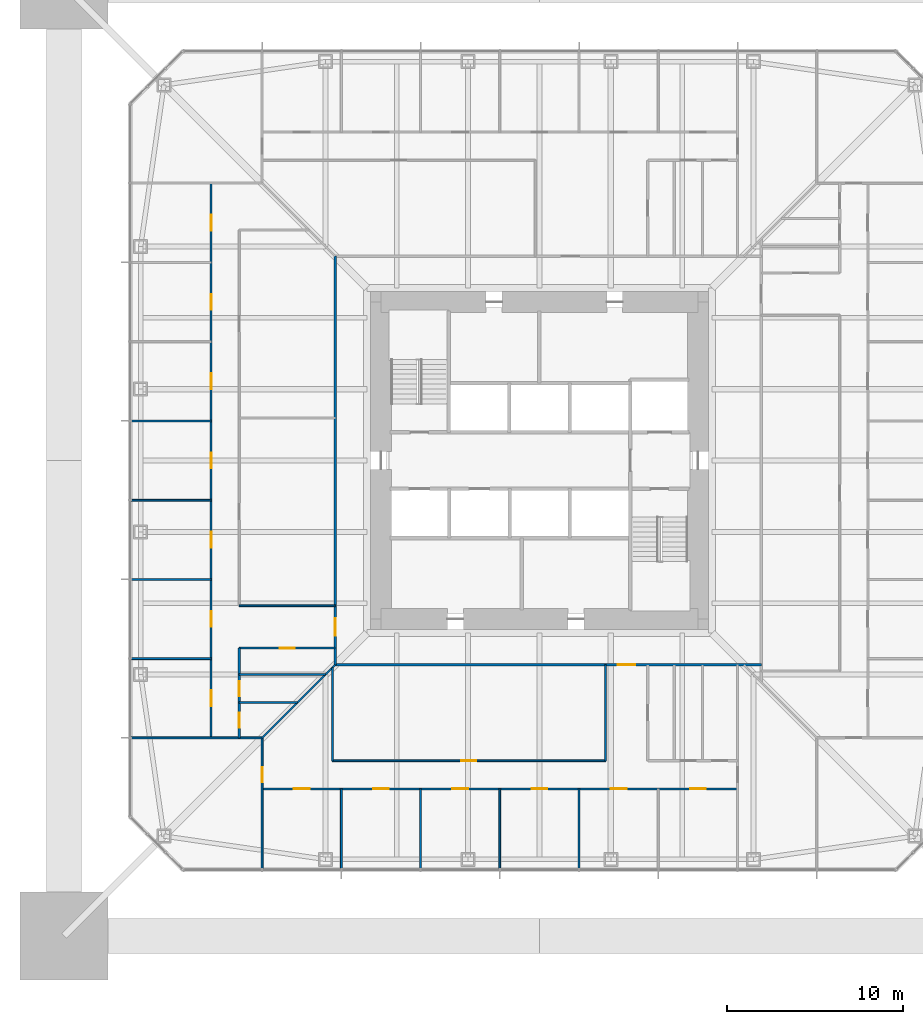
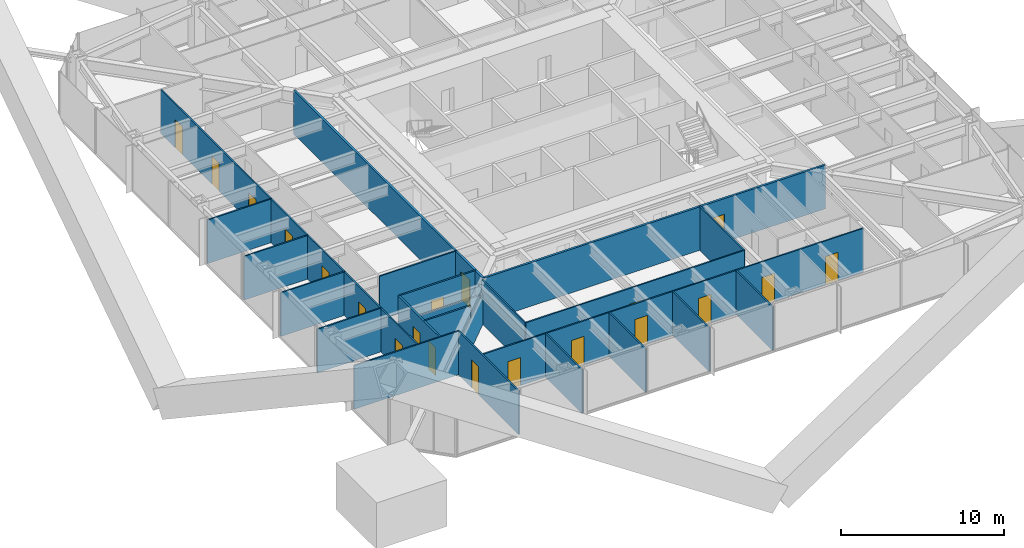
# One storey, part 15 of 27: 23 walls, 20 doors, 20 openings.
"""IFC4 building model written with IfcOpenShell, lengths in metres."""

from ifc_helpers import new_model, si_unit, direction, frame, frame_2d, origin, place, context, subcontext, project, spatial, rectangle, extrude, material, layer, layer_set, type_object, element, fill, save


model = new_model("IFC4")

# Units and contexts
model_context = context("Model", 3, precision=1e-05, world=origin(), true_north=direction((0.0, 1.0)))
body_context = subcontext(model_context, "Body", "Model", "MODEL_VIEW")
ifc_project = project(units=[si_unit("LENGTHUNIT", "METRE"), si_unit("AREAUNIT", "SQUARE_METRE"), si_unit("VOLUMEUNIT", "CUBIC_METRE"), si_unit("PLANEANGLEUNIT", "RADIAN"), si_unit("MASSUNIT", "GRAM", prefix="KILO")], contexts=[model_context])

# Site, building, storey
site_placement = place(None, origin())
site = spatial("IfcSite", under=ifc_project, at=site_placement, CompositionType="ELEMENT")
building_placement = place(site_placement, origin())
building = spatial("IfcBuilding", under=site, at=building_placement, Name="Iwan Alto Co-Living Towers", CompositionType="ELEMENT")
storey_placement = place(building_placement, frame((0.0, 0.0, 25.5)))
storey = spatial("IfcBuildingStorey", under=building, at=storey_placement, Name="L06", CompositionType="ELEMENT", Elevation=25.5)

# Wall, opening, door
ifc_material_1 = material(Name="Gypsum board")
ifc_layer_1 = layer(ifc_material_1, 0.02490234375, Name="Board", Category="Finish")
ifc_material_2 = material(Name="Steel ASTM A1003 ST33H cold-formed studs", Category="steel")
ifc_layer_2 = layer(ifc_material_2, 0.10009765625, Name="Studs", Category="Framing")
ifc_layer_3 = layer(ifc_material_1, 0.02490234375, Name="Board", Category="Finish")
ifc_layer_set_1 = layer_set([ifc_layer_1, ifc_layer_2, ifc_layer_3], Name="CORRIDOR WALL 150")
wall_type_1 = type_object("IfcWallType", Name="CORRIDOR WALL 150", PredefinedType="PARTITIONING", material=ifc_layer_set_1)
wall_1_placement = place(storey_placement, frame((-11.60009765625, -11.60009765625, 0.0), z_axis=(0.0, 0.0, 1.0), x_axis=(1.0, 0.0, 0.0)))
wall_1 = element("IfcWall", 1, at=wall_1_placement, inside=storey, type_object=wall_type_1, Name="Partition L06", PredefinedType="PARTITIONING", context=body_context, shape_type="SweptSolid", body=[
    extrude(rectangle(XDim=24.2001953125, YDim=0.14990234375, at=frame_2d((12.10009765625, 0.0))), origin(), (0.0, 0.0, 1.0), 3.27001953125),
])
opening_1_placement = place(wall_1_placement, frame((16.050048828125, 0.0, 0.0)))
opening_1 = element("IfcOpeningElement", 2, at=opening_1_placement, cuts=wall_1, Name="Opening D3", PredefinedType="OPENING", context=body_context, shape_type="SweptSolid", body=[
    extrude(rectangle(XDim=1.0, YDim=2.10009765625, at=frame_2d((0.5, 1.050048828125))), frame((0.0, 0.0849609375, 0.0), z_axis=(0.0, -1.0, 0.0), x_axis=(1.0, 0.0, 0.0)), (0.0, 0.0, 1.0), 0.169921875),
])
ifc_material_3 = material(Name="Steel frame with timber leaf", Category="steel")
door_type_1 = type_object("IfcDoorType", Name="FLAT ENTRANCE DOOR FD30S 1000X2100", OperationType="SINGLE_SWING_LEFT", PredefinedType="DOOR", material=ifc_material_3)
door_1_placement = place(opening_1_placement, frame((1.0, 0.0, 0.0), z_axis=(0.0, 0.0, 1.0), x_axis=(-1.0, 0.0, 0.0)))
door_1 = element("IfcDoor", 3, at=door_1_placement, inside=storey, type_object=door_type_1, Name="Cluster lounge door L06", OperationType="SINGLE_SWING_RIGHT", OverallHeight=2.10009765625, OverallWidth=1.0, PredefinedType="DOOR", context=body_context, shape_type="SweptSolid", body=[
    extrude(rectangle(XDim=1.0, YDim=2.10009765625, at=frame_2d((0.5, 1.050048828125))), frame((0.0, 0.02490234375, 0.0), z_axis=(0.0, -1.0, 0.0), x_axis=(1.0, 0.0, 0.0)), (0.0, 0.0, 1.0), 0.050048828125),
])
fill(opening_1, door_1)

wall_2_placement = place(storey_placement, frame((-11.60009765625, -11.60009765625, 0.0), z_axis=(0.0, 0.0, 1.0), x_axis=(0.0, 1.0, 0.0)))
wall_2 = element("IfcWall", 4, at=wall_2_placement, inside=storey, type_object=wall_type_1, Name="Partition L06", PredefinedType="PARTITIONING", context=body_context, shape_type="SweptSolid", body=[
    extrude(rectangle(XDim=23.2001953125, YDim=0.14990234375, at=frame_2d((11.60009765625, 0.0))), origin(), (0.0, 0.0, 1.0), 3.27001953125),
])
opening_2_placement = place(wall_2_placement, frame((1.64990234375, 0.0, 0.0)))
opening_2 = element("IfcOpeningElement", 5, at=opening_2_placement, cuts=wall_2, Name="Opening D3", PredefinedType="OPENING", context=body_context, shape_type="SweptSolid", body=[
    extrude(rectangle(XDim=1.0, YDim=2.10009765625, at=frame_2d((0.5, 1.050048828125))), frame((0.0, 0.0849609375, 0.0), z_axis=(0.0, -1.0, 0.0), x_axis=(1.0, 0.0, 0.0)), (0.0, 0.0, 1.0), 0.169921875),
])
door_2_placement = place(opening_2_placement, origin())
door_2 = element("IfcDoor", 6, at=door_2_placement, inside=storey, type_object=door_type_1, Name="Cluster lounge and shared kitchen door L06", OperationType="SINGLE_SWING_LEFT", OverallHeight=2.10009765625, OverallWidth=1.0, PredefinedType="DOOR", context=body_context, shape_type="SweptSolid", body=[
    extrude(rectangle(XDim=1.0, YDim=2.10009765625, at=frame_2d((0.5, 1.050048828125))), frame((0.0, 0.02490234375, 0.0), z_axis=(0.0, -1.0, 0.0), x_axis=(1.0, 0.0, 0.0)), (0.0, 0.0, 1.0), 0.050048828125),
])
fill(opening_2, door_2)

# Wall, openings, doors
ifc_layer_4 = layer(ifc_material_1, 0.012451171875, Name="Board", Category="Finish")
ifc_layer_5 = layer(ifc_material_2, 0.074951171875, Name="Studs", Category="Framing")
ifc_layer_6 = layer(ifc_material_1, 0.012451171875, Name="Board", Category="Finish")
ifc_layer_set_2 = layer_set([ifc_layer_4, ifc_layer_5, ifc_layer_6], Name="PARTITION 100")
wall_type_2 = type_object("IfcWallType", Name="PARTITION 100", PredefinedType="PARTITIONING", material=ifc_layer_set_2)
wall_3_placement = place(storey_placement, frame((-15.75, -18.64990234375, 0.0), z_axis=(0.0, 0.0, 1.0), x_axis=(1.0, 0.0, 0.0)))
wall_3 = element("IfcWall", 7, at=wall_3_placement, inside=storey, type_object=wall_type_2, Name="Partition L06", PredefinedType="PARTITIONING", context=body_context, shape_type="SweptSolid", body=[
    extrude(rectangle(XDim=27.0, YDim=0.10009765625, at=frame_2d((13.5, 0.0))), origin(), (0.0, 0.0, 1.0), 3.27001953125),
])
opening_3_placement = place(wall_3_placement, frame((1.800048828125, 0.0, 0.0)))
opening_3 = element("IfcOpeningElement", 8, at=opening_3_placement, cuts=wall_3, Name="Opening D1", PredefinedType="OPENING", context=body_context, shape_type="SweptSolid", body=[
    extrude(rectangle(XDim=0.89990234375, YDim=2.10009765625, at=frame_2d((0.449951171875, 1.050048828125))), frame((0.0, 0.06005859375, 0.0), z_axis=(0.0, -1.0, 0.0), x_axis=(1.0, 0.0, 0.0)), (0.0, 0.0, 1.0), 0.1201171875),
])
opening_4_placement = place(wall_3_placement, frame((6.300048828125, 0.0, 0.0)))
opening_4 = element("IfcOpeningElement", 9, at=opening_4_placement, cuts=wall_3, Name="Opening D1", PredefinedType="OPENING", context=body_context, shape_type="SweptSolid", body=[
    extrude(rectangle(XDim=0.89990234375, YDim=2.10009765625, at=frame_2d((0.449951171875, 1.050048828125))), frame((0.0, 0.06005859375, 0.0), z_axis=(0.0, -1.0, 0.0), x_axis=(1.0, 0.0, 0.0)), (0.0, 0.0, 1.0), 0.1201171875),
])
opening_5_placement = place(wall_3_placement, frame((10.800048828125, 0.0, 0.0)))
opening_5 = element("IfcOpeningElement", 10, at=opening_5_placement, cuts=wall_3, Name="Opening D1", PredefinedType="OPENING", context=body_context, shape_type="SweptSolid", body=[
    extrude(rectangle(XDim=0.89990234375, YDim=2.10009765625, at=frame_2d((0.449951171875, 1.050048828125))), frame((0.0, 0.06005859375, 0.0), z_axis=(0.0, -1.0, 0.0), x_axis=(1.0, 0.0, 0.0)), (0.0, 0.0, 1.0), 0.1201171875),
])
opening_6_placement = place(wall_3_placement, frame((15.300048828125, 0.0, 0.0)))
opening_6 = element("IfcOpeningElement", 11, at=opening_6_placement, cuts=wall_3, Name="Opening D1", PredefinedType="OPENING", context=body_context, shape_type="SweptSolid", body=[
    extrude(rectangle(XDim=0.89990234375, YDim=2.10009765625, at=frame_2d((0.449951171875, 1.050048828125))), frame((0.0, 0.06005859375, 0.0), z_axis=(0.0, -1.0, 0.0), x_axis=(1.0, 0.0, 0.0)), (0.0, 0.0, 1.0), 0.1201171875),
])
opening_7_placement = place(wall_3_placement, frame((19.800048828125, 0.0, 0.0)))
opening_7 = element("IfcOpeningElement", 12, at=opening_7_placement, cuts=wall_3, Name="Opening D1", PredefinedType="OPENING", context=body_context, shape_type="SweptSolid", body=[
    extrude(rectangle(XDim=0.89990234375, YDim=2.10009765625, at=frame_2d((0.449951171875, 1.050048828125))), frame((0.0, 0.06005859375, 0.0), z_axis=(0.0, -1.0, 0.0), x_axis=(1.0, 0.0, 0.0)), (0.0, 0.0, 1.0), 0.1201171875),
])
opening_8_placement = place(wall_3_placement, frame((24.300048828125, 0.0, 0.0)))
opening_8 = element("IfcOpeningElement", 13, at=opening_8_placement, cuts=wall_3, Name="Opening D1", PredefinedType="OPENING", context=body_context, shape_type="SweptSolid", body=[
    extrude(rectangle(XDim=0.89990234375, YDim=2.10009765625, at=frame_2d((0.449951171875, 1.050048828125))), frame((0.0, 0.06005859375, 0.0), z_axis=(0.0, -1.0, 0.0), x_axis=(1.0, 0.0, 0.0)), (0.0, 0.0, 1.0), 0.1201171875),
])
ifc_material_4 = material(Name="Timber leaf in steel frame", Category="steel")
door_type_2 = type_object("IfcDoorType", Name="BEDROOM DOOR 900X2100", OperationType="SINGLE_SWING_LEFT", PredefinedType="DOOR", material=ifc_material_4)
door_3_placement = place(opening_3_placement, origin())
door_3 = element("IfcDoor", 14, at=door_3_placement, inside=storey, type_object=door_type_2, Name="Study bedroom door L06", OperationType="SINGLE_SWING_LEFT", OverallHeight=2.10009765625, OverallWidth=0.89990234375, PredefinedType="DOOR", context=body_context, shape_type="SweptSolid", body=[
    extrude(rectangle(XDim=0.89990234375, YDim=2.10009765625, at=frame_2d((0.449951171875, 1.050048828125))), frame((0.0, 0.02490234375, 0.0), z_axis=(0.0, -1.0, 0.0), x_axis=(1.0, 0.0, 0.0)), (0.0, 0.0, 1.0), 0.050048828125),
])
fill(opening_3, door_3)
door_4_placement = place(opening_4_placement, origin())
door_4 = element("IfcDoor", 15, at=door_4_placement, inside=storey, type_object=door_type_2, Name="Study bedroom door L06", OperationType="SINGLE_SWING_LEFT", OverallHeight=2.10009765625, OverallWidth=0.89990234375, PredefinedType="DOOR", context=body_context, shape_type="SweptSolid", body=[
    extrude(rectangle(XDim=0.89990234375, YDim=2.10009765625, at=frame_2d((0.449951171875, 1.050048828125))), frame((0.0, 0.02490234375, 0.0), z_axis=(0.0, -1.0, 0.0), x_axis=(1.0, 0.0, 0.0)), (0.0, 0.0, 1.0), 0.050048828125),
])
fill(opening_4, door_4)
door_5_placement = place(opening_5_placement, origin())
door_5 = element("IfcDoor", 16, at=door_5_placement, inside=storey, type_object=door_type_2, Name="Study bedroom door L06", OperationType="SINGLE_SWING_LEFT", OverallHeight=2.10009765625, OverallWidth=0.89990234375, PredefinedType="DOOR", context=body_context, shape_type="SweptSolid", body=[
    extrude(rectangle(XDim=0.89990234375, YDim=2.10009765625, at=frame_2d((0.449951171875, 1.050048828125))), frame((0.0, 0.02490234375, 0.0), z_axis=(0.0, -1.0, 0.0), x_axis=(1.0, 0.0, 0.0)), (0.0, 0.0, 1.0), 0.050048828125),
])
fill(opening_5, door_5)
door_6_placement = place(opening_6_placement, origin())
door_6 = element("IfcDoor", 17, at=door_6_placement, inside=storey, type_object=door_type_2, Name="Study bedroom door L06", OperationType="SINGLE_SWING_RIGHT", OverallHeight=2.10009765625, OverallWidth=0.89990234375, PredefinedType="DOOR", context=body_context, shape_type="SweptSolid", body=[
    extrude(rectangle(XDim=0.89990234375, YDim=2.10009765625, at=frame_2d((0.449951171875, 1.050048828125))), frame((0.0, 0.02490234375, 0.0), z_axis=(0.0, -1.0, 0.0), x_axis=(1.0, 0.0, 0.0)), (0.0, 0.0, 1.0), 0.050048828125),
])
fill(opening_6, door_6)
door_7_placement = place(opening_7_placement, origin())
door_7 = element("IfcDoor", 18, at=door_7_placement, inside=storey, type_object=door_type_2, Name="Study bedroom door L06", OperationType="SINGLE_SWING_RIGHT", OverallHeight=2.10009765625, OverallWidth=0.89990234375, PredefinedType="DOOR", context=body_context, shape_type="SweptSolid", body=[
    extrude(rectangle(XDim=0.89990234375, YDim=2.10009765625, at=frame_2d((0.449951171875, 1.050048828125))), frame((0.0, 0.02490234375, 0.0), z_axis=(0.0, -1.0, 0.0), x_axis=(1.0, 0.0, 0.0)), (0.0, 0.0, 1.0), 0.050048828125),
])
fill(opening_7, door_7)
door_8_placement = place(opening_8_placement, origin())
door_8 = element("IfcDoor", 19, at=door_8_placement, inside=storey, type_object=door_type_2, Name="Study bedroom door L06", OperationType="SINGLE_SWING_RIGHT", OverallHeight=2.10009765625, OverallWidth=0.89990234375, PredefinedType="DOOR", context=body_context, shape_type="SweptSolid", body=[
    extrude(rectangle(XDim=0.89990234375, YDim=2.10009765625, at=frame_2d((0.449951171875, 1.050048828125))), frame((0.0, 0.02490234375, 0.0), z_axis=(0.0, -1.0, 0.0), x_axis=(1.0, 0.0, 0.0)), (0.0, 0.0, 1.0), 0.050048828125),
])
fill(opening_8, door_8)

# Wall, opening, door
wall_4_placement = place(storey_placement, frame((-11.760009765625, -17.050048828125, 0.0), z_axis=(0.0, 0.0, 1.0), x_axis=(1.0, 0.0, 0.0)))
wall_4 = element("IfcWall", 20, at=wall_4_placement, inside=storey, type_object=wall_type_2, Name="Partition L06", PredefinedType="PARTITIONING", context=body_context, shape_type="SweptSolid", body=[
    extrude(rectangle(XDim=15.510009765625, YDim=0.10009765625, at=frame_2d((7.7548828125, 0.0))), origin(), (0.0, 0.0, 1.0), 3.27001953125),
])
opening_9_placement = place(wall_4_placement, frame((7.330078125, 0.0, 0.0)))
opening_9 = element("IfcOpeningElement", 21, at=opening_9_placement, cuts=wall_4, Name="Opening D2", PredefinedType="OPENING", context=body_context, shape_type="SweptSolid", body=[
    extrude(rectangle(XDim=0.85009765625, YDim=2.10009765625, at=frame_2d((0.425048828125, 1.050048828125))), frame((0.0, 0.06005859375, 0.0), z_axis=(0.0, -1.0, 0.0), x_axis=(1.0, 0.0, 0.0)), (0.0, 0.0, 1.0), 0.1201171875),
])
ifc_material_5 = material(Name="Timber leaf in steel frame", Category="steel")
door_type_3 = type_object("IfcDoorType", Name="ROOM DOOR 850X2100", OperationType="SINGLE_SWING_LEFT", PredefinedType="DOOR", material=ifc_material_5)
door_9_placement = place(opening_9_placement, origin())
door_9 = element("IfcDoor", 22, at=door_9_placement, inside=storey, type_object=door_type_3, Name="Study lounge door L06", OperationType="SINGLE_SWING_LEFT", OverallHeight=2.10009765625, OverallWidth=0.85009765625, PredefinedType="DOOR", context=body_context, shape_type="SweptSolid", body=[
    extrude(rectangle(XDim=0.85009765625, YDim=2.10009765625, at=frame_2d((0.425048828125, 1.050048828125))), frame((0.0, 0.02490234375, 0.0), z_axis=(0.0, -1.0, 0.0), x_axis=(1.0, 0.0, 0.0)), (0.0, 0.0, 1.0), 0.050048828125),
])
fill(opening_9, door_9)

# Walls
wall_5_placement = place(storey_placement, frame((-23.18994140625, -15.75, 0.0), z_axis=(0.0, 0.0, 1.0), x_axis=(1.0, 0.0, 0.0)))
element("IfcWall", 23, at=wall_5_placement, inside=storey, type_object=wall_type_2, Name="Partition L06", PredefinedType="PARTITIONING", context=body_context, shape_type="SweptSolid", body=[
    extrude(rectangle(XDim=7.43994140625, YDim=0.10009765625, at=frame_2d((3.719970703125, 0.0))), origin(), (0.0, 0.0, 1.0), 3.27001953125),
])
wall_6_placement = place(storey_placement, frame((-23.18994140625, -11.25, 0.0), z_axis=(0.0, 0.0, 1.0), x_axis=(1.0, 0.0, 0.0)))
element("IfcWall", 24, at=wall_6_placement, inside=storey, type_object=wall_type_2, Name="Partition L06", PredefinedType="PARTITIONING", context=body_context, shape_type="SweptSolid", body=[
    extrude(rectangle(XDim=4.5400390625, YDim=0.10009765625, at=frame_2d((2.27001953125, 0.0))), origin(), (0.0, 0.0, 1.0), 3.27001953125),
])
wall_7_placement = place(storey_placement, frame((-17.050048828125, -8.25, 0.0), z_axis=(0.0, 0.0, 1.0), x_axis=(1.0, 0.0, 0.0)))
element("IfcWall", 25, at=wall_7_placement, inside=storey, type_object=wall_type_2, Name="Partition L06", PredefinedType="PARTITIONING", context=body_context, shape_type="SweptSolid", body=[
    extrude(rectangle(XDim=5.449951171875, YDim=0.10009765625, at=frame_2d((2.72509765625, 0.0))), origin(), (0.0, 0.0, 1.0), 3.27001953125),
])
for number, where, z_axis, x_axis, name in (
    (26, (-23.18994140625, -6.75, 0.0), (0.0, 0.0, 1.0), (1.0, 0.0, 0.0), "Partition L06"),
    (27, (-23.18994140625, -2.25, 0.0), (0.0, 0.0, 1.0), (1.0, 0.0, 0.0), "Partition L06"),
    (28, (-23.18994140625, 2.25, 0.0), (0.0, 0.0, 1.0), (1.0, 0.0, 0.0), "Partition L06"),
):
    element("IfcWall", number, at=place(storey_placement, frame(where, z_axis=z_axis, x_axis=x_axis)), inside=storey, type_object=wall_type_2, Name=name, PredefinedType="PARTITIONING", context=body_context, shape_type="SweptSolid", body=[
        extrude(rectangle(XDim=4.5400390625, YDim=0.10009765625, at=frame_2d((2.27001953125, 0.0))), origin(), (0.0, 0.0, 1.0), 3.27001953125),
    ])
wall_8_placement = place(storey_placement, frame((3.75, -17.050048828125, 0.0), z_axis=(0.0, 0.0, 1.0), x_axis=(0.0, 1.0, 0.0)))
element("IfcWall", 29, at=wall_8_placement, inside=storey, type_object=wall_type_2, Name="Partition L06", PredefinedType="PARTITIONING", context=body_context, shape_type="SweptSolid", body=[
    extrude(rectangle(XDim=5.449951171875, YDim=0.10009765625, at=frame_2d((2.72509765625, 0.0))), origin(), (0.0, 0.0, 1.0), 3.27001953125),
])
for number, where, z_axis, x_axis, name in (
    (30, (2.25, -23.18994140625, 0.0), (0.0, 0.0, 1.0), (0.0, 1.0, 0.0), "Partition L06"),
    (31, (-2.25, -23.18994140625, 0.0), (0.0, 0.0, 1.0), (0.0, 1.0, 0.0), "Partition L06"),
    (32, (-6.75, -23.18994140625, 0.0), (0.0, 0.0, 1.0), (0.0, 1.0, 0.0), "Partition L06"),
    (33, (-11.25, -23.18994140625, 0.0), (0.0, 0.0, 1.0), (0.0, 1.0, 0.0), "Partition L06"),
):
    element("IfcWall", number, at=place(storey_placement, frame(where, z_axis=z_axis, x_axis=x_axis)), inside=storey, type_object=wall_type_2, Name=name, PredefinedType="PARTITIONING", context=body_context, shape_type="SweptSolid", body=[
        extrude(rectangle(XDim=4.5400390625, YDim=0.10009765625, at=frame_2d((2.27001953125, 0.0))), origin(), (0.0, 0.0, 1.0), 3.27001953125),
    ])
wall_9_placement = place(storey_placement, frame((-11.760009765625, -17.050048828125, 0.0), z_axis=(0.0, 0.0, 1.0), x_axis=(0.0, 1.0, 0.0)))
element("IfcWall", 34, at=wall_9_placement, inside=storey, type_object=wall_type_2, Name="Partition L06", PredefinedType="PARTITIONING", context=body_context, shape_type="SweptSolid", body=[
    extrude(rectangle(XDim=5.2900390625, YDim=0.10009765625, at=frame_2d((2.64501953125, 0.0))), origin(), (0.0, 0.0, 1.0), 3.27001953125),
])

# Wall, opening, door
wall_10_placement = place(storey_placement, frame((-15.75, -23.18994140625, 0.0), z_axis=(0.0, 0.0, 1.0), x_axis=(0.0, 1.0, 0.0)))
wall_10 = element("IfcWall", 35, at=wall_10_placement, inside=storey, type_object=wall_type_2, Name="Partition L06", PredefinedType="PARTITIONING", context=body_context, shape_type="SweptSolid", body=[
    extrude(rectangle(XDim=7.43994140625, YDim=0.10009765625, at=frame_2d((3.719970703125, 0.0))), origin(), (0.0, 0.0, 1.0), 3.27001953125),
])
opening_10_placement = place(wall_10_placement, frame((4.9150390625, 0.0, 0.0)))
opening_10 = element("IfcOpeningElement", 36, at=opening_10_placement, cuts=wall_10, Name="Opening D2", PredefinedType="OPENING", context=body_context, shape_type="SweptSolid", body=[
    extrude(rectangle(XDim=0.85009765625, YDim=2.10009765625, at=frame_2d((0.425048828125, 1.050048828125))), frame((0.0, 0.06005859375, 0.0), z_axis=(0.0, -1.0, 0.0), x_axis=(1.0, 0.0, 0.0)), (0.0, 0.0, 1.0), 0.1201171875),
])
door_10_placement = place(opening_10_placement, frame((0.85009765625, 0.0, 0.0), z_axis=(0.0, 0.0, 1.0), x_axis=(-1.0, 0.0, 0.0)))
door_10 = element("IfcDoor", 37, at=door_10_placement, inside=storey, type_object=door_type_3, Name="Shared kitchen and dining room door L06", OperationType="SINGLE_SWING_RIGHT", OverallHeight=2.10009765625, OverallWidth=0.85009765625, PredefinedType="DOOR", context=body_context, shape_type="SweptSolid", body=[
    extrude(rectangle(XDim=0.85009765625, YDim=2.10009765625, at=frame_2d((0.425048828125, 1.050048828125))), frame((0.0, 0.02490234375, 0.0), z_axis=(0.0, -1.0, 0.0), x_axis=(1.0, 0.0, 0.0)), (0.0, 0.0, 1.0), 0.050048828125),
])
fill(opening_10, door_10)

# Wall, openings, doors
wall_11_placement = place(storey_placement, frame((-18.64990234375, -15.75, 0.0), z_axis=(0.0, 0.0, 1.0), x_axis=(0.0, 1.0, 0.0)))
wall_11 = element("IfcWall", 38, at=wall_11_placement, inside=storey, type_object=wall_type_2, Name="Partition L06", PredefinedType="PARTITIONING", context=body_context, shape_type="SweptSolid", body=[
    extrude(rectangle(XDim=31.5, YDim=0.10009765625, at=frame_2d((15.75, 0.0))), origin(), (0.0, 0.0, 1.0), 3.27001953125),
])
opening_11_placement = place(wall_11_placement, frame((28.800048828125, 0.0, 0.0)))
opening_11 = element("IfcOpeningElement", 39, at=opening_11_placement, cuts=wall_11, Name="Opening D1", PredefinedType="OPENING", context=body_context, shape_type="SweptSolid", body=[
    extrude(rectangle(XDim=0.89990234375, YDim=2.10009765625, at=frame_2d((0.449951171875, 1.050048828125))), frame((0.0, 0.06005859375, 0.0), z_axis=(0.0, -1.0, 0.0), x_axis=(1.0, 0.0, 0.0)), (0.0, 0.0, 1.0), 0.1201171875),
])
opening_12_placement = place(wall_11_placement, frame((24.300048828125, 0.0, 0.0)))
opening_12 = element("IfcOpeningElement", 40, at=opening_12_placement, cuts=wall_11, Name="Opening D1", PredefinedType="OPENING", context=body_context, shape_type="SweptSolid", body=[
    extrude(rectangle(XDim=0.89990234375, YDim=2.10009765625, at=frame_2d((0.449951171875, 1.050048828125))), frame((0.0, 0.06005859375, 0.0), z_axis=(0.0, -1.0, 0.0), x_axis=(1.0, 0.0, 0.0)), (0.0, 0.0, 1.0), 0.1201171875),
])
opening_13_placement = place(wall_11_placement, frame((19.800048828125, 0.0, 0.0)))
opening_13 = element("IfcOpeningElement", 41, at=opening_13_placement, cuts=wall_11, Name="Opening D1", PredefinedType="OPENING", context=body_context, shape_type="SweptSolid", body=[
    extrude(rectangle(XDim=0.89990234375, YDim=2.10009765625, at=frame_2d((0.449951171875, 1.050048828125))), frame((0.0, 0.06005859375, 0.0), z_axis=(0.0, -1.0, 0.0), x_axis=(1.0, 0.0, 0.0)), (0.0, 0.0, 1.0), 0.1201171875),
])
opening_14_placement = place(wall_11_placement, frame((15.300048828125, 0.0, 0.0)))
opening_14 = element("IfcOpeningElement", 42, at=opening_14_placement, cuts=wall_11, Name="Opening D1", PredefinedType="OPENING", context=body_context, shape_type="SweptSolid", body=[
    extrude(rectangle(XDim=0.89990234375, YDim=2.10009765625, at=frame_2d((0.449951171875, 1.050048828125))), frame((0.0, 0.06005859375, 0.0), z_axis=(0.0, -1.0, 0.0), x_axis=(1.0, 0.0, 0.0)), (0.0, 0.0, 1.0), 0.1201171875),
])
opening_15_placement = place(wall_11_placement, frame((10.800048828125, 0.0, 0.0)))
opening_15 = element("IfcOpeningElement", 43, at=opening_15_placement, cuts=wall_11, Name="Opening D1", PredefinedType="OPENING", context=body_context, shape_type="SweptSolid", body=[
    extrude(rectangle(XDim=0.89990234375, YDim=2.10009765625, at=frame_2d((0.449951171875, 1.050048828125))), frame((0.0, 0.06005859375, 0.0), z_axis=(0.0, -1.0, 0.0), x_axis=(1.0, 0.0, 0.0)), (0.0, 0.0, 1.0), 0.1201171875),
])
opening_16_placement = place(wall_11_placement, frame((6.300048828125, 0.0, 0.0)))
opening_16 = element("IfcOpeningElement", 44, at=opening_16_placement, cuts=wall_11, Name="Opening D1", PredefinedType="OPENING", context=body_context, shape_type="SweptSolid", body=[
    extrude(rectangle(XDim=0.89990234375, YDim=2.10009765625, at=frame_2d((0.449951171875, 1.050048828125))), frame((0.0, 0.06005859375, 0.0), z_axis=(0.0, -1.0, 0.0), x_axis=(1.0, 0.0, 0.0)), (0.0, 0.0, 1.0), 0.1201171875),
])
opening_17_placement = place(wall_11_placement, frame((1.800048828125, 0.0, 0.0)))
opening_17 = element("IfcOpeningElement", 45, at=opening_17_placement, cuts=wall_11, Name="Opening D1", PredefinedType="OPENING", context=body_context, shape_type="SweptSolid", body=[
    extrude(rectangle(XDim=0.89990234375, YDim=2.10009765625, at=frame_2d((0.449951171875, 1.050048828125))), frame((0.0, 0.06005859375, 0.0), z_axis=(0.0, -1.0, 0.0), x_axis=(1.0, 0.0, 0.0)), (0.0, 0.0, 1.0), 0.1201171875),
])
door_11_placement = place(opening_11_placement, frame((0.89990234375, 0.0, 0.0), z_axis=(0.0, 0.0, 1.0), x_axis=(-1.0, 0.0, 0.0)))
door_11 = element("IfcDoor", 46, at=door_11_placement, inside=storey, type_object=door_type_2, Name="Study bedroom door L06", OperationType="SINGLE_SWING_LEFT", OverallHeight=2.10009765625, OverallWidth=0.89990234375, PredefinedType="DOOR", context=body_context, shape_type="SweptSolid", body=[
    extrude(rectangle(XDim=0.89990234375, YDim=2.10009765625, at=frame_2d((0.449951171875, 1.050048828125))), frame((0.0, 0.02490234375, 0.0), z_axis=(0.0, -1.0, 0.0), x_axis=(1.0, 0.0, 0.0)), (0.0, 0.0, 1.0), 0.050048828125),
])
fill(opening_11, door_11)
door_12_placement = place(opening_12_placement, frame((0.89990234375, 0.0, 0.0), z_axis=(0.0, 0.0, 1.0), x_axis=(-1.0, 0.0, 0.0)))
door_12 = element("IfcDoor", 47, at=door_12_placement, inside=storey, type_object=door_type_2, Name="Study bedroom door L06", OperationType="SINGLE_SWING_LEFT", OverallHeight=2.10009765625, OverallWidth=0.89990234375, PredefinedType="DOOR", context=body_context, shape_type="SweptSolid", body=[
    extrude(rectangle(XDim=0.89990234375, YDim=2.10009765625, at=frame_2d((0.449951171875, 1.050048828125))), frame((0.0, 0.02490234375, 0.0), z_axis=(0.0, -1.0, 0.0), x_axis=(1.0, 0.0, 0.0)), (0.0, 0.0, 1.0), 0.050048828125),
])
fill(opening_12, door_12)
door_13_placement = place(opening_13_placement, frame((0.89990234375, 0.0, 0.0), z_axis=(0.0, 0.0, 1.0), x_axis=(-1.0, 0.0, 0.0)))
door_13 = element("IfcDoor", 48, at=door_13_placement, inside=storey, type_object=door_type_2, Name="Study bedroom door L06", OperationType="SINGLE_SWING_LEFT", OverallHeight=2.10009765625, OverallWidth=0.89990234375, PredefinedType="DOOR", context=body_context, shape_type="SweptSolid", body=[
    extrude(rectangle(XDim=0.89990234375, YDim=2.10009765625, at=frame_2d((0.449951171875, 1.050048828125))), frame((0.0, 0.02490234375, 0.0), z_axis=(0.0, -1.0, 0.0), x_axis=(1.0, 0.0, 0.0)), (0.0, 0.0, 1.0), 0.050048828125),
])
fill(opening_13, door_13)
door_14_placement = place(opening_14_placement, frame((0.89990234375, 0.0, 0.0), z_axis=(0.0, 0.0, 1.0), x_axis=(-1.0, 0.0, 0.0)))
door_14 = element("IfcDoor", 49, at=door_14_placement, inside=storey, type_object=door_type_2, Name="Study bedroom door L06", OperationType="SINGLE_SWING_RIGHT", OverallHeight=2.10009765625, OverallWidth=0.89990234375, PredefinedType="DOOR", context=body_context, shape_type="SweptSolid", body=[
    extrude(rectangle(XDim=0.89990234375, YDim=2.10009765625, at=frame_2d((0.449951171875, 1.050048828125))), frame((0.0, 0.02490234375, 0.0), z_axis=(0.0, -1.0, 0.0), x_axis=(1.0, 0.0, 0.0)), (0.0, 0.0, 1.0), 0.050048828125),
])
fill(opening_14, door_14)
door_15_placement = place(opening_15_placement, frame((0.89990234375, 0.0, 0.0), z_axis=(0.0, 0.0, 1.0), x_axis=(-1.0, 0.0, 0.0)))
door_15 = element("IfcDoor", 50, at=door_15_placement, inside=storey, type_object=door_type_2, Name="Study bedroom door L06", OperationType="SINGLE_SWING_RIGHT", OverallHeight=2.10009765625, OverallWidth=0.89990234375, PredefinedType="DOOR", context=body_context, shape_type="SweptSolid", body=[
    extrude(rectangle(XDim=0.89990234375, YDim=2.10009765625, at=frame_2d((0.449951171875, 1.050048828125))), frame((0.0, 0.02490234375, 0.0), z_axis=(0.0, -1.0, 0.0), x_axis=(1.0, 0.0, 0.0)), (0.0, 0.0, 1.0), 0.050048828125),
])
fill(opening_15, door_15)
door_16_placement = place(opening_16_placement, frame((0.89990234375, 0.0, 0.0), z_axis=(0.0, 0.0, 1.0), x_axis=(-1.0, 0.0, 0.0)))
door_16 = element("IfcDoor", 51, at=door_16_placement, inside=storey, type_object=door_type_2, Name="Study bedroom door L06", OperationType="SINGLE_SWING_RIGHT", OverallHeight=2.10009765625, OverallWidth=0.89990234375, PredefinedType="DOOR", context=body_context, shape_type="SweptSolid", body=[
    extrude(rectangle(XDim=0.89990234375, YDim=2.10009765625, at=frame_2d((0.449951171875, 1.050048828125))), frame((0.0, 0.02490234375, 0.0), z_axis=(0.0, -1.0, 0.0), x_axis=(1.0, 0.0, 0.0)), (0.0, 0.0, 1.0), 0.050048828125),
])
fill(opening_16, door_16)
door_17_placement = place(opening_17_placement, frame((0.89990234375, 0.0, 0.0), z_axis=(0.0, 0.0, 1.0), x_axis=(-1.0, 0.0, 0.0)))
door_17 = element("IfcDoor", 52, at=door_17_placement, inside=storey, type_object=door_type_2, Name="Study bedroom door L06", OperationType="SINGLE_SWING_RIGHT", OverallHeight=2.10009765625, OverallWidth=0.89990234375, PredefinedType="DOOR", context=body_context, shape_type="SweptSolid", body=[
    extrude(rectangle(XDim=0.89990234375, YDim=2.10009765625, at=frame_2d((0.449951171875, 1.050048828125))), frame((0.0, 0.02490234375, 0.0), z_axis=(0.0, -1.0, 0.0), x_axis=(1.0, 0.0, 0.0)), (0.0, 0.0, 1.0), 0.050048828125),
])
fill(opening_17, door_17)

# Walls
ifc_material_6 = material(Name="Cement board")
ifc_layer_7 = layer(ifc_material_6, 0.012451171875, Name="Board", Category="Finish")
ifc_layer_8 = layer(ifc_material_2, 0.094970703125, Name="Studs", Category="Framing")
ifc_layer_9 = layer(ifc_material_6, 0.012451171875, Name="Board", Category="Finish")
ifc_layer_set_3 = layer_set([ifc_layer_7, ifc_layer_8, ifc_layer_9], Name="WET AREA PARTITION 120")
wall_type_3 = type_object("IfcWallType", Name="WET AREA PARTITION 120", PredefinedType="PARTITIONING", material=ifc_layer_set_3)
wall_12_placement = place(storey_placement, frame((-17.050048828125, -13.75, 0.0), z_axis=(0.0, 0.0, 1.0), x_axis=(1.0, 0.0, 0.0)))
element("IfcWall", 53, at=wall_12_placement, inside=storey, type_object=wall_type_3, Name="Partition L06", PredefinedType="PARTITIONING", context=body_context, shape_type="SweptSolid", body=[
    extrude(rectangle(XDim=3.300048828125, YDim=0.1201171875, at=frame_2d((1.64990234375, 0.0))), origin(), (0.0, 0.0, 1.0), 3.27001953125),
])
wall_13_placement = place(storey_placement, frame((-17.050048828125, -12.14990234375, 0.0), z_axis=(0.0, 0.0, 1.0), x_axis=(1.0, 0.0, 0.0)))
element("IfcWall", 54, at=wall_13_placement, inside=storey, type_object=wall_type_3, Name="Partition L06", PredefinedType="PARTITIONING", context=body_context, shape_type="SweptSolid", body=[
    extrude(rectangle(XDim=4.900146484375, YDim=0.1201171875, at=frame_2d((2.4501953125, 0.0))), origin(), (0.0, 0.0, 1.0), 2.508056640625),
])

# Wall, opening, door
wall_14_placement = place(storey_placement, frame((-17.050048828125, -10.64990234375, 0.0), z_axis=(0.0, 0.0, 1.0), x_axis=(1.0, 0.0, 0.0)))
wall_14 = element("IfcWall", 55, at=wall_14_placement, inside=storey, type_object=wall_type_3, Name="Partition L06", PredefinedType="PARTITIONING", context=body_context, shape_type="SweptSolid", body=[
    extrude(rectangle(XDim=5.449951171875, YDim=0.1201171875, at=frame_2d((2.72509765625, 0.0))), origin(), (0.0, 0.0, 1.0), 3.27001953125),
])
opening_18_placement = place(wall_14_placement, frame((2.300048828125, 0.0, 0.0)))
opening_18 = element("IfcOpeningElement", 56, at=opening_18_placement, cuts=wall_14, Name="Opening D2", PredefinedType="OPENING", context=body_context, shape_type="SweptSolid", body=[
    extrude(rectangle(XDim=0.85009765625, YDim=2.10009765625, at=frame_2d((0.425048828125, 1.050048828125))), frame((0.0, 0.070068359375, 0.0), z_axis=(0.0, -1.0, 0.0), x_axis=(1.0, 0.0, 0.0)), (0.0, 0.0, 1.0), 0.14013671875),
])
door_18_placement = place(opening_18_placement, origin())
door_18 = element("IfcDoor", 57, at=door_18_placement, inside=storey, type_object=door_type_3, Name="Bathroom door L06", OperationType="SINGLE_SWING_RIGHT", OverallHeight=2.10009765625, OverallWidth=0.85009765625, PredefinedType="DOOR", context=body_context, shape_type="SweptSolid", body=[
    extrude(rectangle(XDim=0.85009765625, YDim=2.10009765625, at=frame_2d((0.425048828125, 1.050048828125))), frame((0.0, 0.02490234375, 0.0), z_axis=(0.0, -1.0, 0.0), x_axis=(1.0, 0.0, 0.0)), (0.0, 0.0, 1.0), 0.050048828125),
])
fill(opening_18, door_18)

# Wall
wall_15_placement = place(storey_placement, frame((-15.75, -15.75, 0.0), z_axis=(0.0, 0.0, 1.0), x_axis=(0.707106781187, 0.707106781187, 0.0)))
element("IfcWall", 58, at=wall_15_placement, inside=storey, type_object=wall_type_3, Name="Partition L06", PredefinedType="PARTITIONING", context=body_context, shape_type="SweptSolid", body=[
    extrude(rectangle(XDim=5.868896484375, YDim=0.1201171875, at=frame_2d((2.9345703125, 0.0))), origin(), (0.0, 0.0, 1.0), 2.343017578125),
])

# Wall, openings, doors
wall_16_placement = place(storey_placement, frame((-17.050048828125, -15.75, 0.0), z_axis=(0.0, 0.0, 1.0), x_axis=(0.0, 1.0, 0.0)))
wall_16 = element("IfcWall", 59, at=wall_16_placement, inside=storey, type_object=wall_type_3, Name="Partition L06", PredefinedType="PARTITIONING", context=body_context, shape_type="SweptSolid", body=[
    extrude(rectangle(XDim=5.10009765625, YDim=0.1201171875, at=frame_2d((2.550048828125, 0.0))), origin(), (0.0, 0.0, 1.0), 3.27001953125),
])
opening_19_placement = place(wall_16_placement, frame((2.375, 0.0, 0.0)))
opening_19 = element("IfcOpeningElement", 60, at=opening_19_placement, cuts=wall_16, Name="Opening D2", PredefinedType="OPENING", context=body_context, shape_type="SweptSolid", body=[
    extrude(rectangle(XDim=0.85009765625, YDim=2.10009765625, at=frame_2d((0.425048828125, 1.050048828125))), frame((0.0, 0.070068359375, 0.0), z_axis=(0.0, -1.0, 0.0), x_axis=(1.0, 0.0, 0.0)), (0.0, 0.0, 1.0), 0.14013671875),
])
opening_20_placement = place(wall_16_placement, frame((0.574951171875, 0.0, 0.0)))
opening_20 = element("IfcOpeningElement", 61, at=opening_20_placement, cuts=wall_16, Name="Opening D2", PredefinedType="OPENING", context=body_context, shape_type="SweptSolid", body=[
    extrude(rectangle(XDim=0.85009765625, YDim=2.10009765625, at=frame_2d((0.425048828125, 1.050048828125))), frame((0.0, 0.070068359375, 0.0), z_axis=(0.0, -1.0, 0.0), x_axis=(1.0, 0.0, 0.0)), (0.0, 0.0, 1.0), 0.14013671875),
])
door_19_placement = place(opening_19_placement, origin())
door_19 = element("IfcDoor", 62, at=door_19_placement, inside=storey, type_object=door_type_3, Name="Accessible bathroom door L06", OperationType="SINGLE_SWING_LEFT", OverallHeight=2.10009765625, OverallWidth=0.85009765625, PredefinedType="DOOR", context=body_context, shape_type="SweptSolid", body=[
    extrude(rectangle(XDim=0.85009765625, YDim=2.10009765625, at=frame_2d((0.425048828125, 1.050048828125))), frame((0.0, 0.02490234375, 0.0), z_axis=(0.0, -1.0, 0.0), x_axis=(1.0, 0.0, 0.0)), (0.0, 0.0, 1.0), 0.050048828125),
])
fill(opening_19, door_19)
door_20_placement = place(opening_20_placement, origin())
door_20 = element("IfcDoor", 63, at=door_20_placement, inside=storey, type_object=door_type_3, Name="Laundry door L06", OperationType="SINGLE_SWING_LEFT", OverallHeight=2.10009765625, OverallWidth=0.85009765625, PredefinedType="DOOR", context=body_context, shape_type="SweptSolid", body=[
    extrude(rectangle(XDim=0.85009765625, YDim=2.10009765625, at=frame_2d((0.425048828125, 1.050048828125))), frame((0.0, 0.02490234375, 0.0), z_axis=(0.0, -1.0, 0.0), x_axis=(1.0, 0.0, 0.0)), (0.0, 0.0, 1.0), 0.050048828125),
])
fill(opening_20, door_20)

save(model, "model.ifc")
